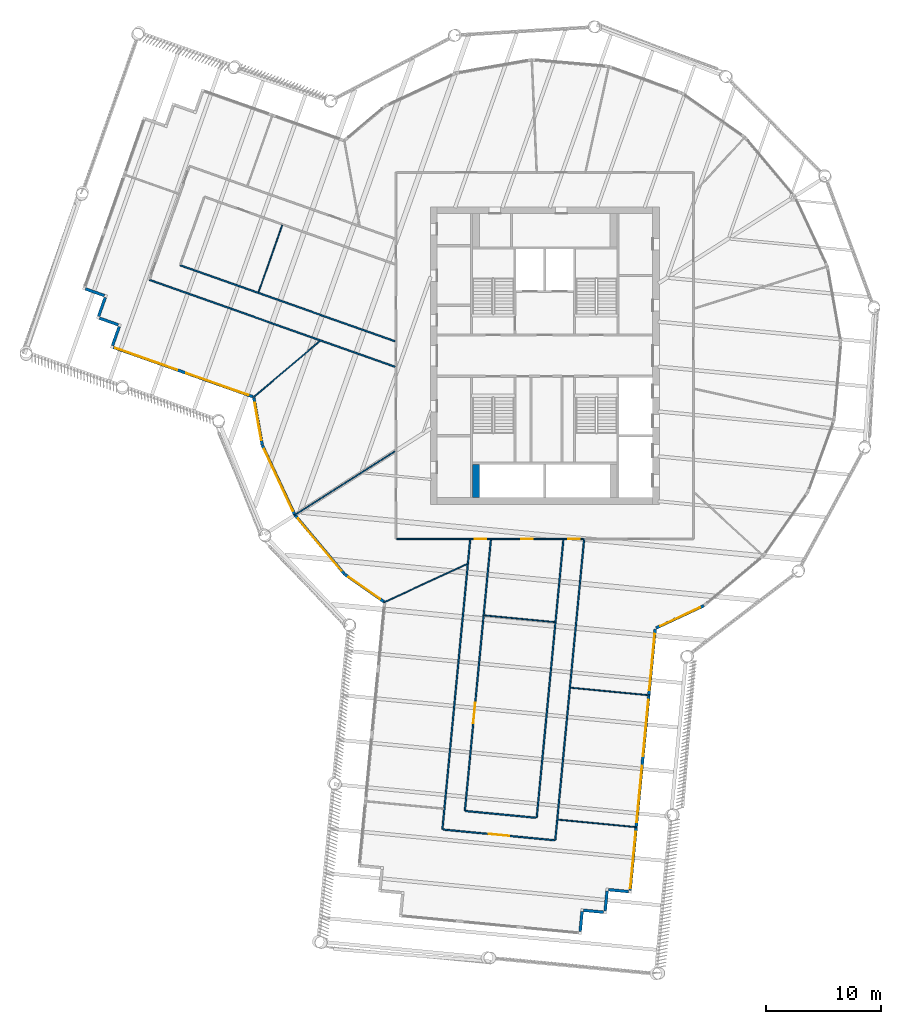
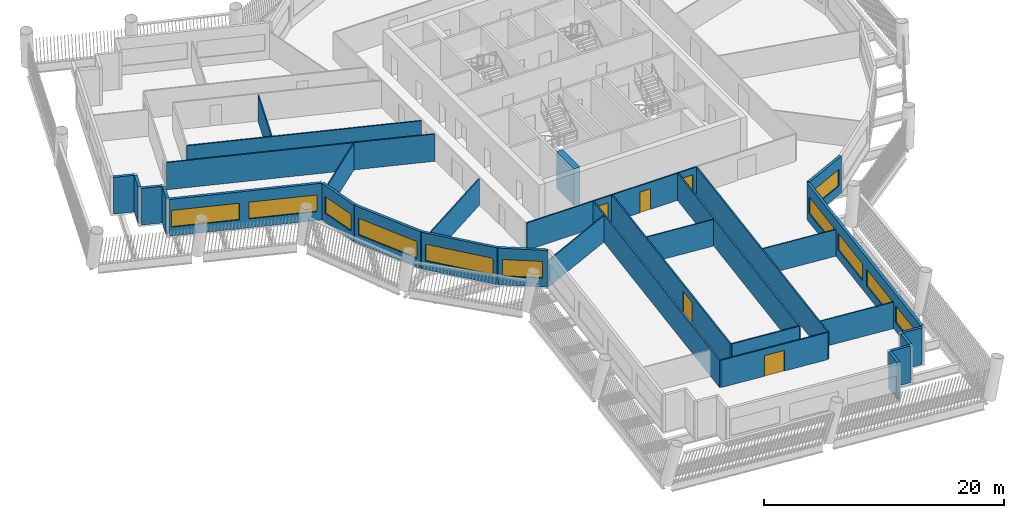
# One storey, part 3 of 15: 32 walls, 11 windows, 5 doors, 16 openings.
"""IFC4 building model written with IfcOpenShell, lengths in metres."""

from ifc_helpers import new_model, si_unit, direction, frame, frame_2d, origin, place, context, subcontext, project, spatial, rectangle, extrude, material, layer, layer_set, type_object, element, fill, save


model = new_model("IFC4")

# Units and contexts
model_context = context("Model", 3, precision=1e-05, world=origin(), true_north=direction((0.0, 1.0)))
body_context = subcontext(model_context, "Body", "Model", "MODEL_VIEW")
ifc_project = project(units=[si_unit("LENGTHUNIT", "METRE"), si_unit("AREAUNIT", "SQUARE_METRE"), si_unit("VOLUMEUNIT", "CUBIC_METRE"), si_unit("PLANEANGLEUNIT", "RADIAN"), si_unit("MASSUNIT", "GRAM", prefix="KILO")], contexts=[model_context])

# Site, building, storey
site_placement = place(None, origin())
site = spatial("IfcSite", under=ifc_project, at=site_placement, CompositionType="ELEMENT")
building_placement = place(site_placement, origin())
building = spatial("IfcBuilding", under=site, at=building_placement, Name="Tarsis Ring Headquarters", CompositionType="ELEMENT")
storey_placement = place(building_placement, frame((0.0, 0.0, 204.300048828125)))
storey = spatial("IfcBuildingStorey", under=building, at=storey_placement, Name="L47", CompositionType="ELEMENT", Elevation=204.300048828125)

# Walls
ifc_material_1 = material(Name="Gypsum board on steel studs", Category="steel")
ifc_layer_1 = layer(ifc_material_1, 0.10009765625)
ifc_layer_set_1 = layer_set([ifc_layer_1], Name="FL partition 100 unrated")
wall_type_1 = type_object("IfcWallType", Name="FL partition 100 unrated", PredefinedType="PARTITIONING", material=ifc_layer_set_1)
wall_1_placement = place(storey_placement, frame((-21.87939453125, -13.949462890625, 0.0), z_axis=(0.0, 0.0, 1.0), x_axis=(0.843205315072, 0.537591663472, 0.0)))
element("IfcWall", 1, at=wall_1_placement, inside=storey, type_object=wall_type_1, Name="Partition PW3", PredefinedType="PARTITIONING", context=body_context, shape_type="SweptSolid", body=[
    extrude(rectangle(XDim=10.4306640625, YDim=0.10009765625, at=frame_2d((5.21533203125, 0.0))), origin(), (0.0, 0.0, 1.0), 2.699951171875),
])
wall_2_placement = place(storey_placement, frame((-14.0458984375, -21.536376953125, 0.0), z_axis=(0.0, 0.0, 1.0), x_axis=(0.907996980115, 0.418976710692, 0.0)))
element("IfcWall", 2, at=wall_2_placement, inside=storey, type_object=wall_type_1, Name="Partition PW3", PredefinedType="PARTITIONING", context=body_context, shape_type="SweptSolid", body=[
    extrude(rectangle(XDim=7.98193359375, YDim=0.10009765625, at=frame_2d((3.990966796875, 0.0))), origin(), (0.0, 0.0, 1.0), 2.699951171875),
])
wall_3_placement = place(storey_placement, frame((-25.451904296875, -3.64599609375, 0.0), z_axis=(0.0, 0.0, 1.0), x_axis=(0.763011426865, 0.646384995551, 0.0)))
element("IfcWall", 3, at=wall_3_placement, inside=storey, type_object=wall_type_1, Name="Partition PW3", PredefinedType="PARTITIONING", context=body_context, shape_type="SweptSolid", body=[
    extrude(rectangle(XDim=7.611328125, YDim=0.10009765625, at=frame_2d((3.8056640625, 0.0))), origin(), (0.0, 0.0, 1.0), 2.699951171875),
])
for number, where, z_axis, x_axis, name in (
    (4, (1.156982421875, -40.505615234375, 0.0), (0.0, 0.0, 1.0), (0.995428887645, -0.095505652407, 0.0), "Partition PW3"),
    (5, (2.261962890625, -28.988525390625, 0.0), (0.0, 0.0, 1.0), (0.995428887645, -0.095505652407, 0.0), "Partition PW3"),
):
    element("IfcWall", number, at=place(storey_placement, frame(where, z_axis=z_axis, x_axis=x_axis)), inside=storey, type_object=wall_type_1, Name=name, PredefinedType="PARTITIONING", context=body_context, shape_type="SweptSolid", body=[
        extrude(rectangle(XDim=6.93017578125, YDim=0.10009765625, at=frame_2d((3.465087890625, 0.0))), origin(), (0.0, 0.0, 1.0), 2.699951171875),
    ])
wall_4_placement = place(storey_placement, frame((-24.9892578125, 5.551025390625, 0.0), z_axis=(0.0, 0.0, 1.0), x_axis=(0.33348120087, 0.942756749467, 0.0)))
element("IfcWall", 6, at=wall_4_placement, inside=storey, type_object=wall_type_1, Name="Partition PW3", PredefinedType="PARTITIONING", context=body_context, shape_type="SweptSolid", body=[
    extrude(rectangle(XDim=6.2001953125, YDim=0.10009765625, at=frame_2d((3.10009765625, 0.0))), origin(), (0.0, 0.0, 1.0), 2.699951171875),
])
wall_5_placement = place(storey_placement, frame((-5.26904296875, -22.67041015625, 0.0), z_axis=(0.0, 0.0, 1.0), x_axis=(0.995427889611, -0.095516054068, 0.0)))
element("IfcWall", 7, at=wall_5_placement, inside=storey, type_object=wall_type_1, Name="Partition PW3", PredefinedType="PARTITIONING", context=body_context, shape_type="SweptSolid", body=[
    extrude(rectangle(XDim=6.159912109375, YDim=0.10009765625, at=frame_2d((3.080078125, 0.0))), origin(), (0.0, 0.0, 1.0), 2.699951171875),
])
ifc_layer_2 = layer(ifc_material_1, 0.125)
ifc_layer_set_2 = layer_set([ifc_layer_2], Name="FL partition 125 EI 60 H2770")
wall_type_2 = type_object("IfcWallType", Name="FL partition 125 EI 60 H2770", PredefinedType="PARTITIONING", material=ifc_layer_set_2)
wall_6_placement = place(storey_placement, frame((0.91357421875, -42.310546875, 0.0), z_axis=(0.0, 0.0, 1.0), x_axis=(0.0954990886, 0.995429517383, 0.0)))
element("IfcWall", 8, at=wall_6_placement, inside=storey, type_object=wall_type_2, Name="Partition PW1", PredefinedType="PARTITIONING", context=body_context, shape_type="SweptSolid", body=[
    extrude(rectangle(XDim=26.431396484375, YDim=0.125, at=frame_2d((13.2158203125, 0.0))), origin(), (0.0, 0.0, 1.0), 2.77001953125),
])

# Wall, openings, doors
wall_7_placement = place(storey_placement, frame((-12.93994140625, -16.0, 0.0), z_axis=(0.0, 0.0, 1.0), x_axis=(1.0, 0.0, 0.0)))
wall_7 = element("IfcWall", 9, at=wall_7_placement, inside=storey, type_object=wall_type_2, Name="Partition PW1", PredefinedType="PARTITIONING", context=body_context, shape_type="SweptSolid", body=[
    extrude(rectangle(XDim=16.308837890625, YDim=0.125, at=frame_2d((8.154296875, 0.0))), origin(), (0.0, 0.0, 1.0), 2.77001953125),
])
opening_1_placement = place(wall_7_placement, frame((10.905029296875, 0.0, 0.0)))
opening_1 = element("IfcOpeningElement", 10, at=opening_1_placement, cuts=wall_7, Name="Opening D47.16", PredefinedType="OPENING", context=body_context, shape_type="SweptSolid", body=[
    extrude(rectangle(XDim=1.0, YDim=2.10009765625, at=frame_2d((0.5, 1.050048828125))), frame((0.0, 0.072509765625, 0.0), z_axis=(0.0, -1.0, 0.0), x_axis=(1.0, 0.0, 0.0)), (0.0, 0.0, 1.0), 0.14501953125),
])
opening_2_placement = place(wall_7_placement, frame((6.83642578125, 0.0, 0.0)))
opening_2 = element("IfcOpeningElement", 11, at=opening_2_placement, cuts=wall_7, Name="Opening D47.18", PredefinedType="OPENING", context=body_context, shape_type="SweptSolid", body=[
    extrude(rectangle(XDim=1.0, YDim=2.10009765625, at=frame_2d((0.5, 1.050048828125))), frame((0.0, 0.072509765625, 0.0), z_axis=(0.0, -1.0, 0.0), x_axis=(1.0, 0.0, 0.0)), (0.0, 0.0, 1.0), 0.14501953125),
])
opening_3_placement = place(wall_7_placement, frame((14.9736328125, 0.0, 0.0)))
opening_3 = element("IfcOpeningElement", 12, at=opening_3_placement, cuts=wall_7, Name="Opening D47.19", PredefinedType="OPENING", context=body_context, shape_type="SweptSolid", body=[
    extrude(rectangle(XDim=1.0, YDim=2.10009765625, at=frame_2d((0.5, 1.050048828125))), frame((0.0, 0.072509765625, 0.0), z_axis=(0.0, -1.0, 0.0), x_axis=(1.0, 0.0, 0.0)), (0.0, 0.0, 1.0), 0.14501953125),
])
ifc_material_2 = material(Name="Fire-rated timber door leaf in steel frame", Category="steel")
door_type_1 = type_object("IfcDoorType", Name="FL door FD60-1000", OperationType="NOTDEFINED", PredefinedType="DOOR", material=ifc_material_2)
door_1_placement = place(opening_1_placement, origin())
door_1 = element("IfcDoor", 13, at=door_1_placement, inside=storey, type_object=door_type_1, Name="Door D47.16", OperationType="SINGLE_SWING_LEFT", OverallHeight=2.10009765625, OverallWidth=1.0, PredefinedType="DOOR", context=body_context, shape_type="SweptSolid", body=[
    extrude(rectangle(XDim=1.0, YDim=2.10009765625, at=frame_2d((0.5, 1.050048828125))), frame((0.0, 0.02490234375, 0.0), z_axis=(0.0, -1.0, 0.0), x_axis=(1.0, 0.0, 0.0)), (0.0, 0.0, 1.0), 0.050048828125),
])
fill(opening_1, door_1)
door_2_placement = place(opening_2_placement, origin())
door_2 = element("IfcDoor", 14, at=door_2_placement, inside=storey, type_object=door_type_1, Name="Door D47.18", OperationType="SINGLE_SWING_LEFT", OverallHeight=2.10009765625, OverallWidth=1.0, PredefinedType="DOOR", context=body_context, shape_type="SweptSolid", body=[
    extrude(rectangle(XDim=1.0, YDim=2.10009765625, at=frame_2d((0.5, 1.050048828125))), frame((0.0, 0.02490234375, 0.0), z_axis=(0.0, -1.0, 0.0), x_axis=(1.0, 0.0, 0.0)), (0.0, 0.0, 1.0), 0.050048828125),
])
fill(opening_2, door_2)
door_3_placement = place(opening_3_placement, origin())
door_3 = element("IfcDoor", 15, at=door_3_placement, inside=storey, type_object=door_type_1, Name="Door D47.19", OperationType="SINGLE_SWING_RIGHT", OverallHeight=2.10009765625, OverallWidth=1.0, PredefinedType="DOOR", context=body_context, shape_type="SweptSolid", body=[
    extrude(rectangle(XDim=1.0, YDim=2.10009765625, at=frame_2d((0.5, 1.050048828125))), frame((0.0, 0.02490234375, 0.0), z_axis=(0.0, -1.0, 0.0), x_axis=(1.0, 0.0, 0.0)), (0.0, 0.0, 1.0), 0.050048828125),
])
fill(opening_3, door_3)

# Walls
wall_8_placement = place(storey_placement, frame((-8.941162109375, -41.365234375, 0.0), z_axis=(0.0, 0.0, 1.0), x_axis=(0.095497303425, 0.995429688646, 0.0)))
element("IfcWall", 16, at=wall_8_placement, inside=storey, type_object=wall_type_2, Name="Partition PW1", PredefinedType="PARTITIONING", context=body_context, shape_type="SweptSolid", body=[
    extrude(rectangle(XDim=25.411865234375, YDim=0.125, at=frame_2d((12.7060546875, 0.0))), origin(), (0.0, 0.0, 1.0), 2.77001953125),
])
wall_9_placement = place(storey_placement, frame((-0.706298828125, -40.346923828125, 0.0), z_axis=(0.0, 0.0, 1.0), x_axis=(0.095498771979, 0.995429547758, 0.0)))
element("IfcWall", 17, at=wall_9_placement, inside=storey, type_object=wall_type_2, Name="Partition PW1", PredefinedType="PARTITIONING", context=body_context, shape_type="SweptSolid", body=[
    extrude(rectangle(XDim=24.388916015625, YDim=0.125, at=frame_2d((12.1943359375, 0.0))), origin(), (0.0, 0.0, 1.0), 2.77001953125),
])

# Wall, opening, door
wall_10_placement = place(storey_placement, frame((-6.9775390625, -39.745361328125, 0.0), z_axis=(0.0, 0.0, 1.0), x_axis=(0.0955027324, 0.995429167799, 0.0)))
wall_10 = element("IfcWall", 18, at=wall_10_placement, inside=storey, type_object=wall_type_2, Name="Partition PW1", PredefinedType="PARTITIONING", context=body_context, shape_type="SweptSolid", body=[
    extrude(rectangle(XDim=23.784423828125, YDim=0.125, at=frame_2d((11.89208984375, 0.0))), origin(), (0.0, 0.0, 1.0), 2.77001953125),
])
opening_4_placement = place(wall_10_placement, frame((7.67822265625, 0.0, 0.0)))
opening_4 = element("IfcOpeningElement", 19, at=opening_4_placement, cuts=wall_10, Name="Opening D47.17", PredefinedType="OPENING", context=body_context, shape_type="SweptSolid", body=[
    extrude(rectangle(XDim=1.800048828125, YDim=2.10009765625, at=frame_2d((0.89990234375, 1.050048828125))), frame((0.0, 0.072509765625, 0.0), z_axis=(0.0, -1.0, 0.0), x_axis=(1.0, 0.0, 0.0)), (0.0, 0.0, 1.0), 0.14501953125),
])
door_type_2 = type_object("IfcDoorType", Name="FL door FD60-1800", OperationType="DOUBLE_DOOR_SINGLE_SWING", PredefinedType="DOOR", material=ifc_material_2)
door_4_placement = place(opening_4_placement, origin())
door_4 = element("IfcDoor", 20, at=door_4_placement, inside=storey, type_object=door_type_2, Name="Door D47.17", OperationType="DOUBLE_DOOR_SINGLE_SWING", OverallHeight=2.10009765625, OverallWidth=1.800048828125, PredefinedType="DOOR", context=body_context, shape_type="SweptSolid", body=[
    extrude(rectangle(XDim=1.800048828125, YDim=2.10009765625, at=frame_2d((0.89990234375, 1.050048828125))), frame((0.0, 0.02490234375, 0.0), z_axis=(0.0, -1.0, 0.0), x_axis=(1.0, 0.0, 0.0)), (0.0, 0.0, 1.0), 0.050048828125),
])
fill(opening_4, door_4)

# Walls
wall_11_placement = place(storey_placement, frame((-34.518310546875, 6.6201171875, 0.0), z_axis=(0.0, 0.0, 1.0), x_axis=(0.942757061532, -0.333480318657, 0.0)))
element("IfcWall", 21, at=wall_11_placement, inside=storey, type_object=wall_type_2, Name="Partition PW1", PredefinedType="PARTITIONING", context=body_context, shape_type="SweptSolid", body=[
    extrude(rectangle(XDim=22.744873046875, YDim=0.125, at=frame_2d((11.37255859375, 0.0))), origin(), (0.0, 0.0, 1.0), 2.77001953125),
])
wall_12_placement = place(storey_placement, frame((-31.838134765625, 7.8994140625, 0.0), z_axis=(0.0, 0.0, 1.0), x_axis=(0.942760013015, -0.333471974624, 0.0)))
element("IfcWall", 22, at=wall_12_placement, inside=storey, type_object=wall_type_2, Name="Partition PW1", PredefinedType="PARTITIONING", context=body_context, shape_type="SweptSolid", body=[
    extrude(rectangle(XDim=19.90185546875, YDim=0.125, at=frame_2d((9.950927734375, 0.0))), origin(), (0.0, 0.0, 1.0), 2.77001953125),
])

# Wall, opening, door
wall_13_placement = place(storey_placement, frame((-8.88134765625, -41.370849609375, 0.0), z_axis=(0.0, 0.0, 1.0), x_axis=(0.995428583597, -0.095508821367, 0.0)))
wall_13 = element("IfcWall", 23, at=wall_13_placement, inside=storey, type_object=wall_type_2, Name="Partition PW1", PredefinedType="PARTITIONING", context=body_context, shape_type="SweptSolid", body=[
    extrude(rectangle(XDim=9.780029296875, YDim=0.125, at=frame_2d((4.89013671875, 0.0))), origin(), (0.0, 0.0, 1.0), 2.77001953125),
])
opening_5_placement = place(wall_13_placement, frame((3.989990234375, 0.0, 0.0)))
opening_5 = element("IfcOpeningElement", 24, at=opening_5_placement, cuts=wall_13, Name="Opening D47.11", PredefinedType="OPENING", context=body_context, shape_type="SweptSolid", body=[
    extrude(rectangle(XDim=1.800048828125, YDim=2.10009765625, at=frame_2d((0.89990234375, 1.050048828125))), frame((0.0, 0.072509765625, 0.0), z_axis=(0.0, -1.0, 0.0), x_axis=(1.0, 0.0, 0.0)), (0.0, 0.0, 1.0), 0.14501953125),
])
door_5_placement = place(opening_5_placement, origin())
door_5 = element("IfcDoor", 25, at=door_5_placement, inside=storey, type_object=door_type_2, Name="Door D47.11", OperationType="DOUBLE_DOOR_SINGLE_SWING", OverallHeight=2.10009765625, OverallWidth=1.800048828125, PredefinedType="DOOR", context=body_context, shape_type="SweptSolid", body=[
    extrude(rectangle(XDim=1.800048828125, YDim=2.10009765625, at=frame_2d((0.89990234375, 1.050048828125))), frame((0.0, 0.02490234375, 0.0), z_axis=(0.0, -1.0, 0.0), x_axis=(1.0, 0.0, 0.0)), (0.0, 0.0, 1.0), 0.050048828125),
])
fill(opening_5, door_5)

# Wall
wall_14_placement = place(storey_placement, frame((-6.917724609375, -39.7509765625, 0.0), z_axis=(0.0, 0.0, 1.0), x_axis=(0.995427034425, -0.095524966037, 0.0)))
element("IfcWall", 26, at=wall_14_placement, inside=storey, type_object=wall_type_2, Name="Partition PW1", PredefinedType="PARTITIONING", context=body_context, shape_type="SweptSolid", body=[
    extrude(rectangle(XDim=6.179931640625, YDim=0.125, at=frame_2d((3.08984375, 0.0))), origin(), (0.0, 0.0, 1.0), 2.77001953125),
])

# Wall, openings, windows
ifc_material_3 = material(Name="Terracotta clad insulated panel wall", Category="masonry")
ifc_layer_3 = layer(ifc_material_3, 0.25)
ifc_layer_set_3 = layer_set([ifc_layer_3], Name="Facade wall terracotta panel 250")
wall_type_3 = type_object("IfcWallType", Name="Facade wall terracotta panel 250", PredefinedType="STANDARD", material=ifc_layer_set_3)
wall_15_placement = place(storey_placement, frame((-37.66357421875, 0.7265625, 0.0), z_axis=(0.0, 0.0, 1.0), x_axis=(0.942759196212, -0.333474283802, 0.0)))
wall_15 = element("IfcWall", 27, at=wall_15_placement, inside=storey, type_object=wall_type_3, Name="External wall L47-01", PredefinedType="STANDARD", context=body_context, shape_type="SweptSolid", body=[
    extrude(rectangle(XDim=12.921875, YDim=0.25, at=frame_2d((6.4609375, 0.0))), origin(), (0.0, 0.0, 1.0), 3.739990234375),
])
opening_6_placement = place(wall_15_placement, frame((0.16796875, 0.0, 0.89990234375)))
opening_6 = element("IfcOpeningElement", 28, at=opening_6_placement, cuts=wall_15, Name="Opening WN06", PredefinedType="OPENING", context=body_context, shape_type="SweptSolid", body=[
    extrude(rectangle(XDim=5.75, YDim=1.699951171875, at=frame_2d((2.875, 0.85009765625))), frame((0.0, 0.135009765625, 0.0), z_axis=(0.0, -1.0, 0.0), x_axis=(1.0, 0.0, 0.0)), (0.0, 0.0, 1.0), 0.27001953125),
])
opening_7_placement = place(wall_15_placement, frame((6.75390625, 0.0, 0.89990234375)))
opening_7 = element("IfcOpeningElement", 29, at=opening_7_placement, cuts=wall_15, Name="Opening WN06", PredefinedType="OPENING", context=body_context, shape_type="SweptSolid", body=[
    extrude(rectangle(XDim=5.75, YDim=1.699951171875, at=frame_2d((2.875, 0.85009765625))), frame((0.0, 0.135009765625, 0.0), z_axis=(0.0, -1.0, 0.0), x_axis=(1.0, 0.0, 0.0)), (0.0, 0.0, 1.0), 0.27001953125),
])
ifc_material_4 = material(Name="Aluminium framed double glazing", Category="aluminium")
window_type_1 = type_object("IfcWindowType", Name="Facade window 5750 x 1700", PartitioningType="SINGLE_PANEL", PredefinedType="WINDOW", material=ifc_material_4)
window_1_placement = place(opening_6_placement, origin())
window_1 = element("IfcWindow", 30, at=window_1_placement, inside=storey, type_object=window_type_1, Name="Window L47-01.1", OverallHeight=1.699951171875, OverallWidth=5.75, PartitioningType="SINGLE_PANEL", PredefinedType="WINDOW", context=body_context, shape_type="SweptSolid", body=[
    extrude(rectangle(XDim=5.75, YDim=1.699951171875, at=frame_2d((2.875, 0.85009765625))), frame((0.0, 0.030029296875, 0.0), z_axis=(0.0, -1.0, 0.0), x_axis=(1.0, 0.0, 0.0)), (0.0, 0.0, 1.0), 0.06005859375),
])
fill(opening_6, window_1)
window_2_placement = place(opening_7_placement, origin())
window_2 = element("IfcWindow", 31, at=window_2_placement, inside=storey, type_object=window_type_1, Name="Window L47-01.2", OverallHeight=1.699951171875, OverallWidth=5.75, PartitioningType="SINGLE_PANEL", PredefinedType="WINDOW", context=body_context, shape_type="SweptSolid", body=[
    extrude(rectangle(XDim=5.75, YDim=1.699951171875, at=frame_2d((2.875, 0.85009765625))), frame((0.0, 0.030029296875, 0.0), z_axis=(0.0, -1.0, 0.0), x_axis=(1.0, 0.0, 0.0)), (0.0, 0.0, 1.0), 0.06005859375),
])
fill(opening_7, window_2)

# Wall, opening, window
wall_16_placement = place(storey_placement, frame((-25.39990234375, -3.6787109375, 0.0), z_axis=(0.0, 0.0, 1.0), x_axis=(0.1739896706, -0.984747477542, 0.0)))
wall_16 = element("IfcWall", 32, at=wall_16_placement, inside=storey, type_object=wall_type_3, Name="External wall L47-02", PredefinedType="STANDARD", context=body_context, shape_type="SweptSolid", body=[
    extrude(rectangle(XDim=4.15771484375, YDim=0.25, at=frame_2d((2.078857421875, 0.0))), origin(), (0.0, 0.0, 1.0), 3.739990234375),
])
opening_8_placement = place(wall_16_placement, frame((0.420166015625, 0.0, 0.89990234375)))
opening_8 = element("IfcOpeningElement", 33, at=opening_8_placement, cuts=wall_16, Name="Opening WN01", PredefinedType="OPENING", context=body_context, shape_type="SweptSolid", body=[
    extrude(rectangle(XDim=3.35009765625, YDim=1.699951171875, at=frame_2d((1.675048828125, 0.85009765625))), frame((0.0, 0.135009765625, 0.0), z_axis=(0.0, -1.0, 0.0), x_axis=(1.0, 0.0, 0.0)), (0.0, 0.0, 1.0), 0.27001953125),
])
window_type_2 = type_object("IfcWindowType", Name="Facade window 3350 x 1700", PartitioningType="SINGLE_PANEL", PredefinedType="WINDOW", material=ifc_material_4)
window_3_placement = place(opening_8_placement, origin())
window_3 = element("IfcWindow", 34, at=window_3_placement, inside=storey, type_object=window_type_2, Name="Window L47-02.1", OverallHeight=1.699951171875, OverallWidth=3.35009765625, PartitioningType="SINGLE_PANEL", PredefinedType="WINDOW", context=body_context, shape_type="SweptSolid", body=[
    extrude(rectangle(XDim=3.35009765625, YDim=1.699951171875, at=frame_2d((1.675048828125, 0.85009765625))), frame((0.0, 0.030029296875, 0.0), z_axis=(0.0, -1.0, 0.0), x_axis=(1.0, 0.0, 0.0)), (0.0, 0.0, 1.0), 0.06005859375),
])
fill(opening_8, window_3)

wall_17_placement = place(storey_placement, frame((-24.666748046875, -7.803955078125, 0.0), z_axis=(0.0, 0.0, 1.0), x_axis=(0.42293318706, -0.906160868325, 0.0)))
wall_17 = element("IfcWall", 35, at=wall_17_placement, inside=storey, type_object=wall_type_3, Name="External wall L47-03", PredefinedType="STANDARD", context=body_context, shape_type="SweptSolid", body=[
    extrude(rectangle(XDim=6.7216796875, YDim=0.25, at=frame_2d((3.36083984375, 0.0))), origin(), (0.0, 0.0, 1.0), 3.739990234375),
])
opening_9_placement = place(wall_17_placement, frame((0.3857421875, 0.0, 0.89990234375)))
opening_9 = element("IfcOpeningElement", 36, at=opening_9_placement, cuts=wall_17, Name="Opening WN07", PredefinedType="OPENING", context=body_context, shape_type="SweptSolid", body=[
    extrude(rectangle(XDim=5.949951171875, YDim=1.699951171875, at=frame_2d((2.97509765625, 0.85009765625))), frame((0.0, 0.135009765625, 0.0), z_axis=(0.0, -1.0, 0.0), x_axis=(1.0, 0.0, 0.0)), (0.0, 0.0, 1.0), 0.27001953125),
])
window_type_3 = type_object("IfcWindowType", Name="Facade window 5950 x 1700", PartitioningType="SINGLE_PANEL", PredefinedType="WINDOW", material=ifc_material_4)
window_4_placement = place(opening_9_placement, origin())
window_4 = element("IfcWindow", 37, at=window_4_placement, inside=storey, type_object=window_type_3, Name="Window L47-03.1", OverallHeight=1.699951171875, OverallWidth=5.949951171875, PartitioningType="SINGLE_PANEL", PredefinedType="WINDOW", context=body_context, shape_type="SweptSolid", body=[
    extrude(rectangle(XDim=5.949951171875, YDim=1.699951171875, at=frame_2d((2.97509765625, 0.85009765625))), frame((0.0, 0.030029296875, 0.0), z_axis=(0.0, -1.0, 0.0), x_axis=(1.0, 0.0, 0.0)), (0.0, 0.0, 1.0), 0.06005859375),
])
fill(opening_9, window_4)

wall_18_placement = place(storey_placement, frame((-21.806396484375, -13.92236328125, 0.0), z_axis=(0.0, 0.0, 1.0), x_axis=(0.643052374048, -0.765822201448, 0.0)))
wall_18 = element("IfcWall", 38, at=wall_18_placement, inside=storey, type_object=wall_type_3, Name="External wall L47-04", PredefinedType="STANDARD", context=body_context, shape_type="SweptSolid", body=[
    extrude(rectangle(XDim=6.721435546875, YDim=0.25, at=frame_2d((3.36083984375, 0.0))), origin(), (0.0, 0.0, 1.0), 3.739990234375),
])
opening_10_placement = place(wall_18_placement, frame((0.3857421875, 0.0, 0.89990234375)))
opening_10 = element("IfcOpeningElement", 39, at=opening_10_placement, cuts=wall_18, Name="Opening WN07", PredefinedType="OPENING", context=body_context, shape_type="SweptSolid", body=[
    extrude(rectangle(XDim=5.949951171875, YDim=1.699951171875, at=frame_2d((2.97509765625, 0.85009765625))), frame((0.0, 0.135009765625, 0.0), z_axis=(0.0, -1.0, 0.0), x_axis=(1.0, 0.0, 0.0)), (0.0, 0.0, 1.0), 0.27001953125),
])
window_5_placement = place(opening_10_placement, origin())
window_5 = element("IfcWindow", 40, at=window_5_placement, inside=storey, type_object=window_type_3, Name="Window L47-04.1", OverallHeight=1.699951171875, OverallWidth=5.949951171875, PartitioningType="SINGLE_PANEL", PredefinedType="WINDOW", context=body_context, shape_type="SweptSolid", body=[
    extrude(rectangle(XDim=5.949951171875, YDim=1.699951171875, at=frame_2d((2.97509765625, 0.85009765625))), frame((0.0, 0.030029296875, 0.0), z_axis=(0.0, -1.0, 0.0), x_axis=(1.0, 0.0, 0.0)), (0.0, 0.0, 1.0), 0.06005859375),
])
fill(opening_10, window_5)

wall_19_placement = place(storey_placement, frame((-17.4599609375, -19.091796875, 0.0), z_axis=(0.0, 0.0, 1.0), x_axis=(0.819345012981, -0.573300749784, 0.0)))
wall_19 = element("IfcWall", 41, at=wall_19_placement, inside=storey, type_object=wall_type_3, Name="External wall L47-05", PredefinedType="STANDARD", context=body_context, shape_type="SweptSolid", body=[
    extrude(rectangle(XDim=4.157470703125, YDim=0.25, at=frame_2d((2.07861328125, 0.0))), origin(), (0.0, 0.0, 1.0), 3.739990234375),
])
opening_11_placement = place(wall_19_placement, frame((0.38720703125, 0.0, 0.89990234375)))
opening_11 = element("IfcOpeningElement", 42, at=opening_11_placement, cuts=wall_19, Name="Opening WN01", PredefinedType="OPENING", context=body_context, shape_type="SweptSolid", body=[
    extrude(rectangle(XDim=3.35009765625, YDim=1.699951171875, at=frame_2d((1.675048828125, 0.85009765625))), frame((0.0, 0.135009765625, 0.0), z_axis=(0.0, -1.0, 0.0), x_axis=(1.0, 0.0, 0.0)), (0.0, 0.0, 1.0), 0.27001953125),
])
window_6_placement = place(opening_11_placement, origin())
window_6 = element("IfcWindow", 43, at=window_6_placement, inside=storey, type_object=window_type_2, Name="Window L47-05.1", OverallHeight=1.699951171875, OverallWidth=3.35009765625, PartitioningType="SINGLE_PANEL", PredefinedType="WINDOW", context=body_context, shape_type="SweptSolid", body=[
    extrude(rectangle(XDim=3.35009765625, YDim=1.699951171875, at=frame_2d((1.675048828125, 0.85009765625))), frame((0.0, 0.030029296875, 0.0), z_axis=(0.0, -1.0, 0.0), x_axis=(1.0, 0.0, 0.0)), (0.0, 0.0, 1.0), 0.06005859375),
])
fill(opening_11, window_6)

# Walls
wall_20_placement = place(storey_placement, frame((3.087890625, -50.274658203125, 0.0), z_axis=(0.0, 0.0, 1.0), x_axis=(0.095566195899, 0.995423076989, 0.0)))
element("IfcWall", 44, at=wall_20_placement, inside=storey, type_object=wall_type_3, Name="External wall L47-12", PredefinedType="STANDARD", context=body_context, shape_type="SweptSolid", body=[
    extrude(rectangle(XDim=1.75, YDim=0.25, at=frame_2d((0.875, 0.0))), origin(), (0.0, 0.0, 1.0), 3.739990234375),
])
wall_21_placement = place(storey_placement, frame((3.391357421875, -48.420166015625, 0.0), z_axis=(0.0, 0.0, 1.0), x_axis=(0.995424350878, -0.095552926058, 0.0)))
element("IfcWall", 45, at=wall_21_placement, inside=storey, type_object=wall_type_3, Name="External wall L47-13", PredefinedType="STANDARD", context=body_context, shape_type="SweptSolid", body=[
    extrude(rectangle(XDim=1.750244140625, YDim=0.25, at=frame_2d((0.875, 0.0))), origin(), (0.0, 0.0, 1.0), 3.739990234375),
])
wall_22_placement = place(storey_placement, frame((5.269775390625, -48.474853515625, 0.0), z_axis=(0.0, 0.0, 1.0), x_axis=(0.095566195899, 0.995423076989, 0.0)))
element("IfcWall", 46, at=wall_22_placement, inside=storey, type_object=wall_type_3, Name="External wall L47-14", PredefinedType="STANDARD", context=body_context, shape_type="SweptSolid", body=[
    extrude(rectangle(XDim=1.75, YDim=0.25, at=frame_2d((0.875, 0.0))), origin(), (0.0, 0.0, 1.0), 3.739990234375),
])
wall_23_placement = place(storey_placement, frame((5.5732421875, -46.620361328125, 0.0), z_axis=(0.0, 0.0, 1.0), x_axis=(0.995437609465, -0.095414703598, 0.0)))
element("IfcWall", 47, at=wall_23_placement, inside=storey, type_object=wall_type_3, Name="External wall L47-15", PredefinedType="STANDARD", context=body_context, shape_type="SweptSolid", body=[
    extrude(rectangle(XDim=1.750244140625, YDim=0.25, at=frame_2d((0.875, 0.0))), origin(), (0.0, 0.0, 1.0), 3.739990234375),
])

# Wall, openings, windows
wall_24_placement = place(storey_placement, frame((7.45166015625, -46.675048828125, 0.0), z_axis=(0.0, 0.0, 1.0), x_axis=(0.095497286909, 0.995429690231, 0.0)))
wall_24 = element("IfcWall", 48, at=wall_24_placement, inside=storey, type_object=wall_type_3, Name="External wall L47-16", PredefinedType="STANDARD", context=body_context, shape_type="SweptSolid", body=[
    extrude(rectangle(XDim=22.9013671875, YDim=0.25, at=frame_2d((11.45068359375, 0.0))), origin(), (0.0, 0.0, 1.0), 3.739990234375),
])
opening_12_placement = place(wall_24_placement, frame((0.1689453125, 0.0, 0.89990234375)))
opening_12 = element("IfcOpeningElement", 49, at=opening_12_placement, cuts=wall_24, Name="Opening WN05", PredefinedType="OPENING", context=body_context, shape_type="SweptSolid", body=[
    extrude(rectangle(XDim=4.949951171875, YDim=1.699951171875, at=frame_2d((2.47509765625, 0.85009765625))), frame((0.0, 0.135009765625, 0.0), z_axis=(0.0, -1.0, 0.0), x_axis=(1.0, 0.0, 0.0)), (0.0, 0.0, 1.0), 0.27001953125),
])
opening_13_placement = place(wall_24_placement, frame((5.956787109375, 0.0, 0.89990234375)))
opening_13 = element("IfcOpeningElement", 50, at=opening_13_placement, cuts=wall_24, Name="Opening WN05", PredefinedType="OPENING", context=body_context, shape_type="SweptSolid", body=[
    extrude(rectangle(XDim=4.949951171875, YDim=1.699951171875, at=frame_2d((2.47509765625, 0.85009765625))), frame((0.0, 0.135009765625, 0.0), z_axis=(0.0, -1.0, 0.0), x_axis=(1.0, 0.0, 0.0)), (0.0, 0.0, 1.0), 0.27001953125),
])
opening_14_placement = place(wall_24_placement, frame((11.74462890625, 0.0, 0.89990234375)))
opening_14 = element("IfcOpeningElement", 51, at=opening_14_placement, cuts=wall_24, Name="Opening WN05", PredefinedType="OPENING", context=body_context, shape_type="SweptSolid", body=[
    extrude(rectangle(XDim=4.949951171875, YDim=1.699951171875, at=frame_2d((2.47509765625, 0.85009765625))), frame((0.0, 0.135009765625, 0.0), z_axis=(0.0, -1.0, 0.0), x_axis=(1.0, 0.0, 0.0)), (0.0, 0.0, 1.0), 0.27001953125),
])
opening_15_placement = place(wall_24_placement, frame((17.532470703125, 0.0, 0.89990234375)))
opening_15 = element("IfcOpeningElement", 52, at=opening_15_placement, cuts=wall_24, Name="Opening WN05", PredefinedType="OPENING", context=body_context, shape_type="SweptSolid", body=[
    extrude(rectangle(XDim=4.949951171875, YDim=1.699951171875, at=frame_2d((2.47509765625, 0.85009765625))), frame((0.0, 0.135009765625, 0.0), z_axis=(0.0, -1.0, 0.0), x_axis=(1.0, 0.0, 0.0)), (0.0, 0.0, 1.0), 0.27001953125),
])
window_type_4 = type_object("IfcWindowType", Name="Facade window 4950 x 1700", PartitioningType="SINGLE_PANEL", PredefinedType="WINDOW", material=ifc_material_4)
window_7_placement = place(opening_12_placement, origin())
window_7 = element("IfcWindow", 53, at=window_7_placement, inside=storey, type_object=window_type_4, Name="Window L47-16.1", OverallHeight=1.699951171875, OverallWidth=4.949951171875, PartitioningType="SINGLE_PANEL", PredefinedType="WINDOW", context=body_context, shape_type="SweptSolid", body=[
    extrude(rectangle(XDim=4.949951171875, YDim=1.699951171875, at=frame_2d((2.47509765625, 0.85009765625))), frame((0.0, 0.030029296875, 0.0), z_axis=(0.0, -1.0, 0.0), x_axis=(1.0, 0.0, 0.0)), (0.0, 0.0, 1.0), 0.06005859375),
])
fill(opening_12, window_7)
window_8_placement = place(opening_13_placement, origin())
window_8 = element("IfcWindow", 54, at=window_8_placement, inside=storey, type_object=window_type_4, Name="Window L47-16.2", OverallHeight=1.699951171875, OverallWidth=4.949951171875, PartitioningType="SINGLE_PANEL", PredefinedType="WINDOW", context=body_context, shape_type="SweptSolid", body=[
    extrude(rectangle(XDim=4.949951171875, YDim=1.699951171875, at=frame_2d((2.47509765625, 0.85009765625))), frame((0.0, 0.030029296875, 0.0), z_axis=(0.0, -1.0, 0.0), x_axis=(1.0, 0.0, 0.0)), (0.0, 0.0, 1.0), 0.06005859375),
])
fill(opening_13, window_8)
window_9_placement = place(opening_14_placement, origin())
window_9 = element("IfcWindow", 55, at=window_9_placement, inside=storey, type_object=window_type_4, Name="Window L47-16.3", OverallHeight=1.699951171875, OverallWidth=4.949951171875, PartitioningType="SINGLE_PANEL", PredefinedType="WINDOW", context=body_context, shape_type="SweptSolid", body=[
    extrude(rectangle(XDim=4.949951171875, YDim=1.699951171875, at=frame_2d((2.47509765625, 0.85009765625))), frame((0.0, 0.030029296875, 0.0), z_axis=(0.0, -1.0, 0.0), x_axis=(1.0, 0.0, 0.0)), (0.0, 0.0, 1.0), 0.06005859375),
])
fill(opening_14, window_9)
window_10_placement = place(opening_15_placement, origin())
window_10 = element("IfcWindow", 56, at=window_10_placement, inside=storey, type_object=window_type_4, Name="Window L47-16.4", OverallHeight=1.699951171875, OverallWidth=4.949951171875, PartitioningType="SINGLE_PANEL", PredefinedType="WINDOW", context=body_context, shape_type="SweptSolid", body=[
    extrude(rectangle(XDim=4.949951171875, YDim=1.699951171875, at=frame_2d((2.47509765625, 0.85009765625))), frame((0.0, 0.030029296875, 0.0), z_axis=(0.0, -1.0, 0.0), x_axis=(1.0, 0.0, 0.0)), (0.0, 0.0, 1.0), 0.06005859375),
])
fill(opening_15, window_10)

# Wall, opening, window
wall_25_placement = place(storey_placement, frame((9.710205078125, -23.777099609375, 0.0), z_axis=(0.0, 0.0, 1.0), x_axis=(0.906156125341, 0.422943349051, 0.0)))
wall_25 = element("IfcWall", 57, at=wall_25_placement, inside=storey, type_object=wall_type_3, Name="External wall L47-17", PredefinedType="STANDARD", context=body_context, shape_type="SweptSolid", body=[
    extrude(rectangle(XDim=4.617919921875, YDim=0.25, at=frame_2d((2.30908203125, 0.0))), origin(), (0.0, 0.0, 1.0), 3.739990234375),
])
opening_16_placement = place(wall_25_placement, frame((0.400390625, 0.0, 0.89990234375)))
opening_16 = element("IfcOpeningElement", 58, at=opening_16_placement, cuts=wall_25, Name="Opening WN02", PredefinedType="OPENING", context=body_context, shape_type="SweptSolid", body=[
    extrude(rectangle(XDim=3.85009765625, YDim=1.699951171875, at=frame_2d((1.925048828125, 0.85009765625))), frame((0.0, 0.135009765625, 0.0), z_axis=(0.0, -1.0, 0.0), x_axis=(1.0, 0.0, 0.0)), (0.0, 0.0, 1.0), 0.27001953125),
])
window_type_5 = type_object("IfcWindowType", Name="Facade window 3850 x 1700", PartitioningType="SINGLE_PANEL", PredefinedType="WINDOW", material=ifc_material_4)
window_11_placement = place(opening_16_placement, origin())
window_11 = element("IfcWindow", 59, at=window_11_placement, inside=storey, type_object=window_type_5, Name="Window L47-17.1", OverallHeight=1.699951171875, OverallWidth=3.85009765625, PartitioningType="SINGLE_PANEL", PredefinedType="WINDOW", context=body_context, shape_type="SweptSolid", body=[
    extrude(rectangle(XDim=3.85009765625, YDim=1.699951171875, at=frame_2d((1.925048828125, 0.85009765625))), frame((0.0, 0.030029296875, 0.0), z_axis=(0.0, -1.0, 0.0), x_axis=(1.0, 0.0, 0.0)), (0.0, 0.0, 1.0), 0.06005859375),
])
fill(opening_16, window_11)

# Walls
for number, where, z_axis, x_axis, name in (
    (60, (-40.100830078125, 5.83154296875, 0.0), (0.0, 0.0, 1.0), (0.942778953695, -0.333418422511, 0.0), "External wall L47-37"),
    (61, (-38.374755859375, 5.08837890625, 0.0), (0.0, 0.0, 1.0), (-0.333418422511, -0.942778953695, 0.0), "External wall L47-38"),
    (62, (-38.88232421875, 3.279052734375, 0.0), (0.0, 0.0, 1.0), (0.942778953695, -0.333418422511, 0.0), "External wall L47-39"),
):
    element("IfcWall", number, at=place(storey_placement, frame(where, z_axis=z_axis, x_axis=x_axis)), inside=storey, type_object=wall_type_3, Name=name, PredefinedType="STANDARD", context=body_context, shape_type="SweptSolid", body=[
        extrude(rectangle(XDim=1.75, YDim=0.25, at=frame_2d((0.875, 0.0))), origin(), (0.0, 0.0, 1.0), 3.739990234375),
    ])
wall_26_placement = place(storey_placement, frame((-37.15625, 2.535888671875, 0.0), z_axis=(0.0, 0.0, 1.0), x_axis=(-0.333462280096, -0.942763442096, 0.0)))
element("IfcWall", 63, at=wall_26_placement, inside=storey, type_object=wall_type_3, Name="External wall L47-40", PredefinedType="STANDARD", context=body_context, shape_type="SweptSolid", body=[
    extrude(rectangle(XDim=1.749755859375, YDim=0.25, at=frame_2d((0.875, 0.0))), origin(), (0.0, 0.0, 1.0), 3.739990234375),
])
ifc_material_5 = material(Name="Concrete C32/40", Category="concrete")
ifc_layer_4 = layer(ifc_material_5, 0.60009765625)
ifc_layer_set_4 = layer_set([ifc_layer_4], Name="Shaft end wall 600 C32/40")
wall_type_4 = type_object("IfcWallType", Name="Shaft end wall 600 C32/40", PredefinedType="SOLIDWALL", material=ifc_layer_set_4)
wall_27_placement = place(storey_placement, frame((-6.0, -12.39990234375, 0.0), z_axis=(0.0, 0.0, 1.0), x_axis=(0.0, 1.0, 0.0)))
element("IfcWall", 64, at=wall_27_placement, inside=storey, type_object=wall_type_4, Name="Core shaft wall SNE1", PredefinedType="SOLIDWALL", context=body_context, shape_type="SweptSolid", body=[
    extrude(rectangle(XDim=2.89990234375, YDim=0.60009765625, at=frame_2d((1.449951171875, 0.0))), origin(), (0.0, 0.0, 1.0), 3.739990234375),
])

save(model, "model.ifc")
